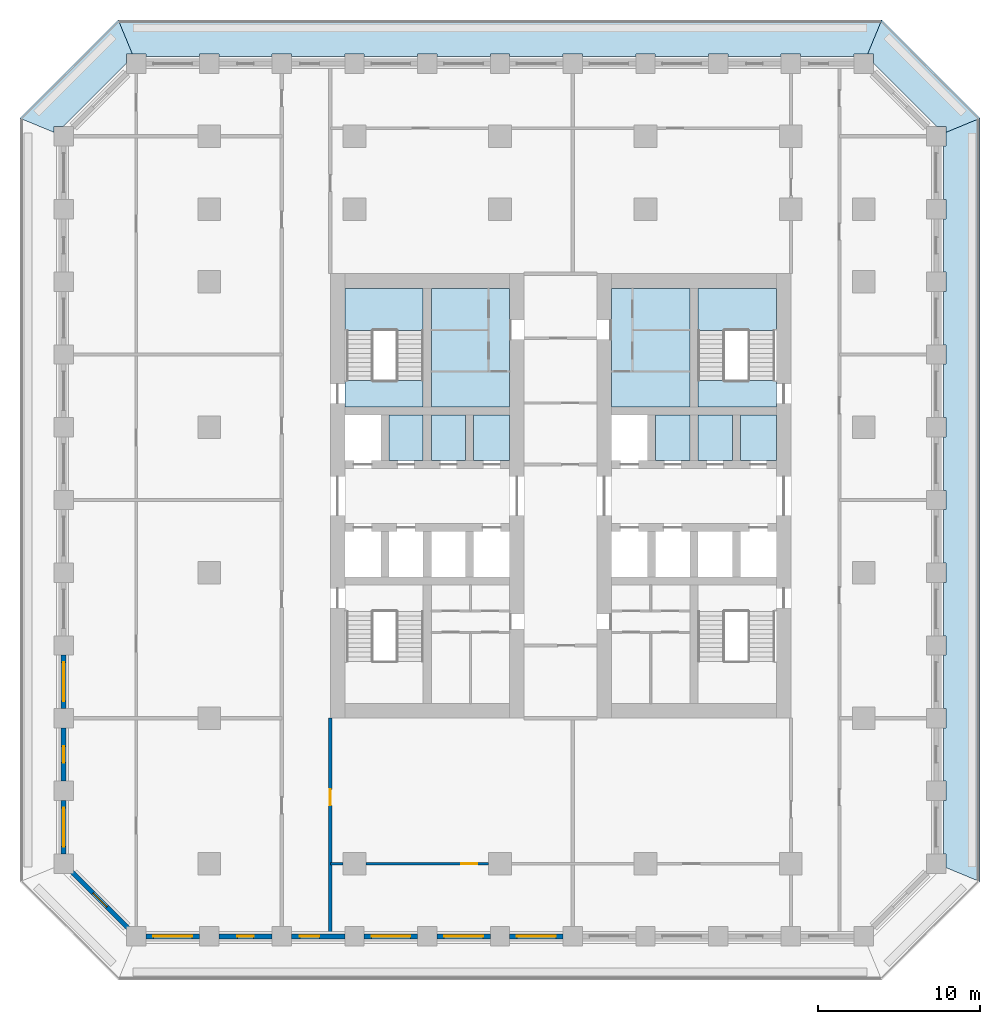
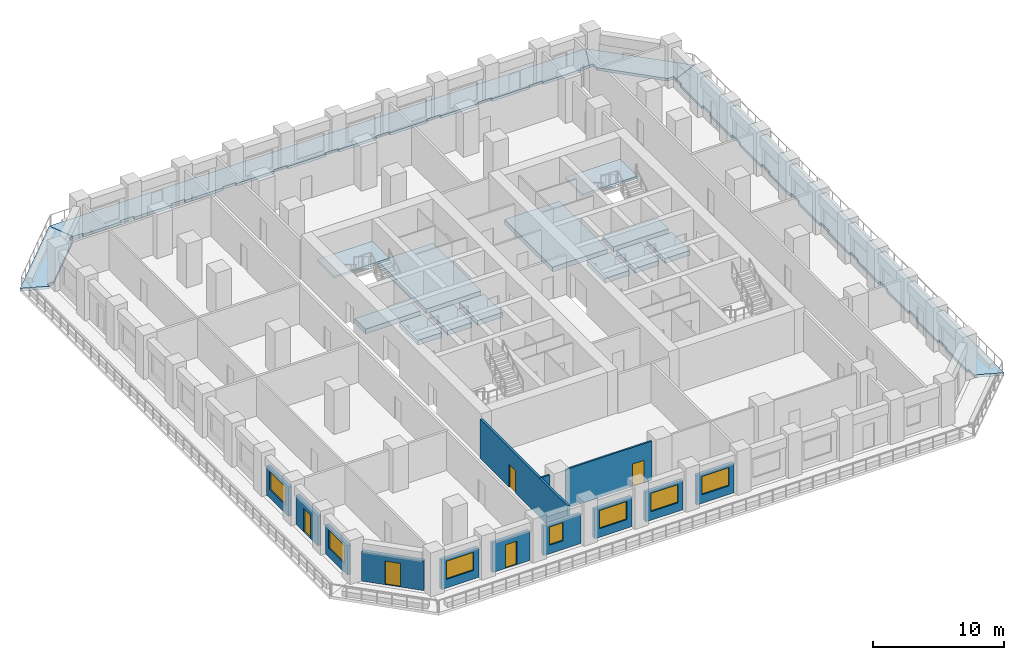
# One storey, part 2 of 16: 16 slabs, 13 walls, 7 windows, 5 doors, 12 openings, 2 elements without a shape of their own.
"""IFC4 building model written with IfcOpenShell, lengths in metres."""

from ifc_helpers import new_model, si_unit, direction, frame, frame_2d, origin, place, context, subcontext, project, spatial, polyline, rectangle, outline, extrude, material, layer, layer_set, type_object, element, fill, aggregate, save


model = new_model("IFC4")

# Units and contexts
model_context = context("Model", 3, precision=1e-05, world=origin(), true_north=direction((0.0, 1.0)))
body_context = subcontext(model_context, "Body", "Model", "MODEL_VIEW")
ifc_project = project(units=[si_unit("LENGTHUNIT", "METRE"), si_unit("AREAUNIT", "SQUARE_METRE"), si_unit("VOLUMEUNIT", "CUBIC_METRE"), si_unit("PLANEANGLEUNIT", "RADIAN"), si_unit("MASSUNIT", "GRAM", prefix="KILO")], contexts=[model_context])

# Site, building, storey
site_placement = place(None, origin())
site = spatial("IfcSite", under=ifc_project, at=site_placement, CompositionType="ELEMENT")
building_placement = place(site_placement, origin())
building = spatial("IfcBuilding", under=site, at=building_placement, Name="Corbel Stack Research Tower", CompositionType="ELEMENT")
storey_placement = place(building_placement, frame((0.0, 0.0, 137.199951171875)))
storey = spatial("IfcBuildingStorey", under=building, at=storey_placement, Name="L31", CompositionType="ELEMENT", Elevation=137.199951171875)

# Slabs
ifc_material_1 = material(Name="Concrete C45/55", Category="concrete")
ifc_layer_1 = layer(ifc_material_1, 0.25)
ifc_layer_set_1 = layer_set([ifc_layer_1], Name="Concrete C45/55")
slab_type_1 = type_object("IfcSlabType", Name="PT balcony slab 250 C45/55", PredefinedType="FLOOR", material=ifc_layer_set_1)
slab_1_placement = place(storey_placement, frame((0.0, 0.0, -0.25)))
element("IfcSlab", 1, at=slab_1_placement, inside=storey, type_object=slab_type_1, Name="Loggia slab L31 E", PredefinedType="FLOOR", context=body_context, shape_type="SweptSolid", body=[
    extrude(outline(polyline([(27.60009765625, 27.24853515625), (27.60009765625, 26.39990234375), (27.449951171875, 26.39990234375), (27.449951171875, 23.10009765625), (27.60009765625, 23.10009765625), (27.60009765625, 21.89990234375), (27.449951171875, 21.89990234375), (27.449951171875, 18.60009765625), (27.60009765625, 18.60009765625), (27.60009765625, 17.39990234375), (27.449951171875, 17.39990234375), (27.449951171875, 14.10009765625), (27.60009765625, 14.10009765625), (27.60009765625, 12.89990234375), (27.449951171875, 12.89990234375), (27.449951171875, 9.60009765625), (27.60009765625, 9.60009765625), (27.60009765625, 8.39990234375), (27.449951171875, 8.39990234375), (27.449951171875, 5.10009765625), (27.60009765625, 5.10009765625), (27.60009765625, 3.89990234375), (27.449951171875, 3.89990234375), (27.449951171875, 0.60009765625), (27.60009765625, 0.60009765625), (27.60009765625, -0.60009765625), (27.449951171875, -0.60009765625), (27.449951171875, -3.89990234375), (27.60009765625, -3.89990234375), (27.60009765625, -5.10009765625), (27.449951171875, -5.10009765625), (27.449951171875, -8.39990234375), (27.60009765625, -8.39990234375), (27.60009765625, -9.60009765625), (27.449951171875, -9.60009765625), (27.449951171875, -12.89990234375), (27.60009765625, -12.89990234375), (27.60009765625, -14.10009765625), (27.449951171875, -14.10009765625), (27.449951171875, -17.39990234375), (27.60009765625, -17.39990234375), (27.60009765625, -18.24853515625), (29.699951171875, -19.118408203125), (29.699951171875, 28.118408203125), (27.60009765625, 27.24853515625)])), origin(), (0.0, 0.0, 1.0), 0.25),
])
slab_2_placement = place(storey_placement, frame((0.0, 0.0, -0.25)))
element("IfcSlab", 2, at=slab_2_placement, inside=storey, type_object=slab_type_1, Name="Loggia slab L31 NE", PredefinedType="FLOOR", context=body_context, shape_type="SweptSolid", body=[
    extrude(outline(polyline([(22.74853515625, 32.10009765625), (23.10009765625, 32.10009765625), (23.10009765625, 31.536376953125), (27.036376953125, 27.60009765625), (27.60009765625, 27.60009765625), (27.60009765625, 27.24853515625), (29.699951171875, 28.118408203125), (23.618408203125, 34.199951171875), (22.74853515625, 32.10009765625)])), origin(), (0.0, 0.0, 1.0), 0.25),
])
slab_3_placement = place(storey_placement, frame((0.0, 0.0, -0.25)))
element("IfcSlab", 3, at=slab_3_placement, inside=storey, type_object=slab_type_1, Name="Loggia slab L31 N", PredefinedType="FLOOR", context=body_context, shape_type="SweptSolid", body=[
    extrude(outline(polyline([(-22.74853515625, 32.10009765625), (-21.89990234375, 32.10009765625), (-21.89990234375, 31.949951171875), (-18.60009765625, 31.949951171875), (-18.60009765625, 32.10009765625), (-17.39990234375, 32.10009765625), (-17.39990234375, 31.949951171875), (-14.10009765625, 31.949951171875), (-14.10009765625, 32.10009765625), (-12.89990234375, 32.10009765625), (-12.89990234375, 31.949951171875), (-9.60009765625, 31.949951171875), (-9.60009765625, 32.10009765625), (-8.39990234375, 32.10009765625), (-8.39990234375, 31.949951171875), (-5.10009765625, 31.949951171875), (-5.10009765625, 32.10009765625), (-3.89990234375, 32.10009765625), (-3.89990234375, 31.949951171875), (-0.60009765625, 31.949951171875), (-0.60009765625, 32.10009765625), (0.60009765625, 32.10009765625), (0.60009765625, 31.949951171875), (3.89990234375, 31.949951171875), (3.89990234375, 32.10009765625), (5.10009765625, 32.10009765625), (5.10009765625, 31.949951171875), (8.39990234375, 31.949951171875), (8.39990234375, 32.10009765625), (9.60009765625, 32.10009765625), (9.60009765625, 31.949951171875), (12.89990234375, 31.949951171875), (12.89990234375, 32.10009765625), (14.10009765625, 32.10009765625), (14.10009765625, 31.949951171875), (17.39990234375, 31.949951171875), (17.39990234375, 32.10009765625), (18.60009765625, 32.10009765625), (18.60009765625, 31.949951171875), (21.89990234375, 31.949951171875), (21.89990234375, 32.10009765625), (22.74853515625, 32.10009765625), (23.618408203125, 34.199951171875), (-23.618408203125, 34.199951171875), (-22.74853515625, 32.10009765625)])), origin(), (0.0, 0.0, 1.0), 0.25),
])
slab_4_placement = place(storey_placement, frame((0.0, 0.0, -0.25)))
element("IfcSlab", 4, at=slab_4_placement, inside=storey, type_object=slab_type_1, Name="Loggia slab L31 NW", PredefinedType="FLOOR", context=body_context, shape_type="SweptSolid", body=[
    extrude(outline(polyline([(-27.60009765625, 27.24853515625), (-27.60009765625, 27.60009765625), (-27.036376953125, 27.60009765625), (-23.10009765625, 31.536376953125), (-23.10009765625, 32.10009765625), (-22.74853515625, 32.10009765625), (-23.618408203125, 34.199951171875), (-29.699951171875, 28.118408203125), (-27.60009765625, 27.24853515625)])), origin(), (0.0, 0.0, 1.0), 0.25),
])
ifc_material_2 = material(Name="Concrete C45/55", Category="concrete")
ifc_layer_2 = layer(ifc_material_2, 0.449951171875)
ifc_layer_set_2 = layer_set([ifc_layer_2], Name="Concrete C45/55")
slab_type_2 = type_object("IfcSlabType", Name="PT-450", PredefinedType="FLOOR", material=ifc_layer_set_2)
slab_5_placement = place(storey_placement, frame((0.0, 0.0, -0.449951171875)))
element("IfcSlab", 5, at=slab_5_placement, inside=storey, type_object=slab_type_2, Name="West core floor L31", PredefinedType="FLOOR", context=body_context, shape_type="SweptSolid", body=[
    extrude(outline(polyline([(-6.875, 6.949951171875), (-4.75, 6.949951171875), (-4.75, 9.75), (-6.875, 9.75), (-6.875, 6.949951171875)])), origin(), (0.0, 0.0, 1.0), 0.449951171875),
])
slab_6_placement = place(storey_placement, frame((0.0, 0.0, -0.449951171875)))
element("IfcSlab", 6, at=slab_6_placement, inside=storey, type_object=slab_type_2, Name="West core floor L31", PredefinedType="FLOOR", context=body_context, shape_type="SweptSolid", body=[
    extrude(outline(polyline([(-2.125, 6.949951171875), (-2.125, 9.75), (-4.25, 9.75), (-4.25, 6.949951171875), (-2.125, 6.949951171875)])), origin(), (0.0, 0.0, 1.0), 0.449951171875),
])
slab_7_placement = place(storey_placement, frame((0.0, 0.0, -0.449951171875)))
element("IfcSlab", 7, at=slab_7_placement, inside=storey, type_object=slab_type_2, Name="West core floor L31", PredefinedType="FLOOR", context=body_context, shape_type="SweptSolid", body=[
    extrude(outline(polyline([(0.60009765625, 17.60009765625), (-4.25, 17.60009765625), (-4.25, 10.25), (0.60009765625, 10.25), (0.60009765625, 17.60009765625)])), origin(), (0.0, 0.0, 1.0), 0.449951171875),
])
slab_8_placement = place(storey_placement, frame((0.0, 0.0, -0.449951171875)))
element("IfcSlab", 8, at=slab_8_placement, inside=storey, type_object=slab_type_2, Name="West core floor L31", PredefinedType="FLOOR", context=body_context, shape_type="SweptSolid", body=[
    extrude(outline(polyline([(0.60009765625, 9.75), (-1.625, 9.75), (-1.625, 6.949951171875), (0.60009765625, 6.949951171875), (0.60009765625, 9.75)])), origin(), (0.0, 0.0, 1.0), 0.449951171875),
])
slab_9_placement = place(storey_placement, frame((0.0, 0.0, -0.449951171875)))
element("IfcSlab", 9, at=slab_9_placement, inside=storey, type_object=slab_type_2, Name="East core floor L31", PredefinedType="FLOOR", context=body_context, shape_type="SweptSolid", body=[
    extrude(outline(polyline([(6.89990234375, 17.60009765625), (6.89990234375, 10.25), (11.75, 10.25), (11.75, 17.60009765625), (6.89990234375, 17.60009765625)])), origin(), (0.0, 0.0, 1.0), 0.449951171875),
])
slab_10_placement = place(storey_placement, frame((0.0, 0.0, -0.449951171875)))
element("IfcSlab", 10, at=slab_10_placement, inside=storey, type_object=slab_type_2, Name="East core floor L31", PredefinedType="FLOOR", context=body_context, shape_type="SweptSolid", body=[
    extrude(outline(polyline([(9.625, 6.949951171875), (11.75, 6.949951171875), (11.75, 9.75), (9.625, 9.75), (9.625, 6.949951171875)])), origin(), (0.0, 0.0, 1.0), 0.449951171875),
])
slab_11_placement = place(storey_placement, frame((0.0, 0.0, -0.449951171875)))
element("IfcSlab", 11, at=slab_11_placement, inside=storey, type_object=slab_type_2, Name="East core floor L31", PredefinedType="FLOOR", context=body_context, shape_type="SweptSolid", body=[
    extrude(outline(polyline([(14.375, 6.949951171875), (14.375, 9.75), (12.25, 9.75), (12.25, 6.949951171875), (14.375, 6.949951171875)])), origin(), (0.0, 0.0, 1.0), 0.449951171875),
])
slab_12_placement = place(storey_placement, frame((0.0, 0.0, -0.449951171875)))
element("IfcSlab", 12, at=slab_12_placement, inside=storey, type_object=slab_type_2, Name="East core floor L31", PredefinedType="FLOOR", context=body_context, shape_type="SweptSolid", body=[
    extrude(outline(polyline([(17.10009765625, 6.949951171875), (17.10009765625, 9.75), (14.875, 9.75), (14.875, 6.949951171875), (17.10009765625, 6.949951171875)])), origin(), (0.0, 0.0, 1.0), 0.449951171875),
])
slab_13_placement = place(storey_placement, frame((0.0, 0.0, -0.449951171875)))
element("IfcSlab", 13, at=slab_13_placement, inside=storey, type_object=slab_type_2, Name="Stair floor landing ST-W2", PredefinedType="FLOOR", context=body_context, shape_type="SweptSolid", body=[
    extrude(outline(polyline([(-9.60009765625, 10.25), (-4.75, 10.25), (-4.75, 11.89990234375), (-9.60009765625, 11.89990234375), (-9.60009765625, 10.25)])), origin(), (0.0, 0.0, 1.0), 0.449951171875),
])
slab_14_placement = place(storey_placement, frame((0.0, 0.0, -0.449951171875)))
element("IfcSlab", 14, at=slab_14_placement, inside=storey, type_object=slab_type_2, Name="Stair floor landing ST-E2", PredefinedType="FLOOR", context=body_context, shape_type="SweptSolid", body=[
    extrude(outline(polyline([(12.25, 10.25), (17.10009765625, 10.25), (17.10009765625, 11.89990234375), (12.25, 11.89990234375), (12.25, 10.25)])), origin(), (0.0, 0.0, 1.0), 0.449951171875),
])

# Stair, slab
ifc_material_3 = material(Name="Concrete C40/50", Category="concrete")
stair_type = type_object("IfcStairType", Name="Exit stair 24 risers", PredefinedType="HALF_TURN_STAIR", material=ifc_material_3)
stair_1_placement = place(storey_placement, origin())
stair_1 = element("IfcStair", 15, at=stair_1_placement, inside=storey, type_object=stair_type, Name="L31 Exit stair ST-W2", PredefinedType="HALF_TURN_STAIR")
ifc_material_4 = material(Name="Concrete C40/50", Category="concrete")
ifc_layer_3 = layer(ifc_material_4, 0.199951171875)
ifc_layer_set_3 = layer_set([ifc_layer_3], Name="Concrete C40/50")
slab_type_3 = type_object("IfcSlabType", Name="Stair landing 200 C40/50", PredefinedType="LANDING", material=ifc_layer_set_3)
slab_15_placement = place(storey_placement, frame((0.0, 0.0, 1.85009765625)))
slab_15 = element("IfcSlab", 16, at=slab_15_placement, type_object=slab_type_3, Name="ST-W2 landing 1", PredefinedType="LANDING", context=body_context, shape_type="SweptSolid", body=[
    extrude(outline(polyline([(-9.60009765625, 14.97998046875), (-9.60009765625, 17.60009765625), (-4.75, 17.60009765625), (-4.75, 14.97998046875), (-9.60009765625, 14.97998046875)])), origin(), (0.0, 0.0, 1.0), 0.199951171875),
])
aggregate(stair_1, [slab_15])

stair_2_placement = place(storey_placement, origin())
stair_2 = element("IfcStair", 17, at=stair_2_placement, inside=storey, type_object=stair_type, Name="L31 Exit stair ST-E2", PredefinedType="HALF_TURN_STAIR")
slab_16_placement = place(storey_placement, frame((0.0, 0.0, 1.85009765625)))
slab_16 = element("IfcSlab", 18, at=slab_16_placement, type_object=slab_type_3, Name="ST-E2 landing 1", PredefinedType="LANDING", context=body_context, shape_type="SweptSolid", body=[
    extrude(outline(polyline([(12.25, 14.97998046875), (12.25, 17.60009765625), (17.10009765625, 17.60009765625), (17.10009765625, 14.97998046875), (12.25, 14.97998046875)])), origin(), (0.0, 0.0, 1.0), 0.199951171875),
])
aggregate(stair_2, [slab_16])

# Wall, opening, door
ifc_material_5 = material(Name="Fire-rated gypsum board partition on steel studs", Category="steel")
ifc_layer_4 = layer(ifc_material_5, 0.199951171875)
ifc_layer_set_4 = layer_set([ifc_layer_4], Name="Fire-rated gypsum board partition on steel studs")
wall_type_1 = type_object("IfcWallType", Name="Fire-rated partition 200 EI 60", PredefinedType="PARTITIONING", material=ifc_layer_set_4)
wall_1_placement = place(storey_placement, frame((-10.5, -9.0, 0.0), z_axis=(0.0, 0.0, 1.0), x_axis=(0.0, -1.0, 0.0)))
wall_1 = element("IfcWall", 19, at=wall_1_placement, inside=storey, type_object=wall_type_1, Name="Partition L31-003", PredefinedType="PARTITIONING", context=body_context, shape_type="SweptSolid", body=[
    extrude(rectangle(XDim=13.35009765625, YDim=0.199951171875, at=frame_2d((6.675048828125, 0.0))), origin(), (0.0, 0.0, 1.0), 3.650146484375),
])
opening_1_placement = place(wall_1_placement, frame((4.39990234375, 0.0, 0.0)))
opening_1 = element("IfcOpeningElement", 20, at=opening_1_placement, cuts=wall_1, Name="Opening B4V2-013", PredefinedType="OPENING", context=body_context, shape_type="SweptSolid", body=[
    extrude(rectangle(XDim=1.0, YDim=2.10009765625, at=frame_2d((0.5, 1.050048828125))), frame((0.0, 0.10986328125, 0.0), z_axis=(0.0, -1.0, 0.0), x_axis=(1.0, 0.0, 0.0)), (0.0, 0.0, 1.0), 0.219970703125),
])
ifc_material_6 = material(Name="Painted steel fire door", Category="steel")
door_type_1 = type_object("IfcDoorType", Name="Fire door FD30S 1000 x 2100", OperationType="NOTDEFINED", PredefinedType="DOOR", material=ifc_material_6)
door_1_placement = place(opening_1_placement, origin())
door_1 = element("IfcDoor", 21, at=door_1_placement, inside=storey, type_object=door_type_1, Name="Door B4V2-013", OperationType="SINGLE_SWING_LEFT", OverallHeight=2.10009765625, OverallWidth=1.0, PredefinedType="DOOR", context=body_context, shape_type="SweptSolid", body=[
    extrude(rectangle(XDim=1.0, YDim=2.10009765625, at=frame_2d((0.5, 1.050048828125))), frame((0.0, 0.02490234375, 0.0), z_axis=(0.0, -1.0, 0.0), x_axis=(1.0, 0.0, 0.0)), (0.0, 0.0, 1.0), 0.050048828125),
])
fill(opening_1, door_1)

# Wall
ifc_material_7 = material(Name="Gypsum board partition on steel studs", Category="steel")
ifc_layer_5 = layer(ifc_material_7, 0.14990234375)
ifc_layer_set_5 = layer_set([ifc_layer_5], Name="Gypsum board partition on steel studs")
wall_type_2 = type_object("IfcWallType", Name="Partition 150", PredefinedType="PARTITIONING", material=ifc_layer_set_5)
wall_2_placement = place(storey_placement, frame((-10.5, -18.0, 0.0), z_axis=(0.0, 0.0, 1.0), x_axis=(1.0, 0.0, 0.0)))
element("IfcWall", 22, at=wall_2_placement, inside=storey, type_object=wall_type_2, Name="Partition L31-013", PredefinedType="PARTITIONING", context=body_context, shape_type="SweptSolid", body=[
    extrude(rectangle(XDim=0.800048828125, YDim=0.14990234375, at=frame_2d((0.39990234375, 0.0))), origin(), (0.0, 0.0, 1.0), 3.650146484375),
])

# Wall, opening, door
wall_3_placement = place(storey_placement, frame((-0.699951171875, -18.0, 0.0), z_axis=(0.0, 0.0, 1.0), x_axis=(-1.0, 0.0, 0.0)))
wall_3 = element("IfcWall", 23, at=wall_3_placement, inside=storey, type_object=wall_type_2, Name="Partition L31-014", PredefinedType="PARTITIONING", context=body_context, shape_type="SweptSolid", body=[
    extrude(rectangle(XDim=7.60009765625, YDim=0.14990234375, at=frame_2d((3.800048828125, 0.0))), origin(), (0.0, 0.0, 1.0), 3.650146484375),
])
opening_2_placement = place(wall_3_placement, frame((0.699951171875, 0.0, 0.0)))
opening_2 = element("IfcOpeningElement", 24, at=opening_2_placement, cuts=wall_3, Name="Opening B4V2-006", PredefinedType="OPENING", context=body_context, shape_type="SweptSolid", body=[
    extrude(rectangle(XDim=1.0, YDim=2.10009765625, at=frame_2d((0.5, 1.050048828125))), frame((0.0, 0.0849609375, 0.0), z_axis=(0.0, -1.0, 0.0), x_axis=(1.0, 0.0, 0.0)), (0.0, 0.0, 1.0), 0.169921875),
])
ifc_material_8 = material(Name="Painted timber door", Category="wood")
door_type_2 = type_object("IfcDoorType", Name="Single door 1000 x 2100", OperationType="NOTDEFINED", PredefinedType="DOOR", material=ifc_material_8)
door_2_placement = place(opening_2_placement, origin())
door_2 = element("IfcDoor", 25, at=door_2_placement, inside=storey, type_object=door_type_2, Name="Door B4V2-006", OperationType="SINGLE_SWING_LEFT", OverallHeight=2.10009765625, OverallWidth=1.0, PredefinedType="DOOR", context=body_context, shape_type="SweptSolid", body=[
    extrude(rectangle(XDim=1.0, YDim=2.10009765625, at=frame_2d((0.5, 1.050048828125))), frame((0.0, 0.02490234375, 0.0), z_axis=(0.0, -1.0, 0.0), x_axis=(1.0, 0.0, 0.0)), (0.0, 0.0, 1.0), 0.050048828125),
])
fill(opening_2, door_2)

# Wall, opening, window
ifc_material_9 = material(Name="Concrete C45/55", Category="concrete")
ifc_layer_6 = layer(ifc_material_9, 0.300048828125)
ifc_layer_set_6 = layer_set([ifc_layer_6], Name="Concrete C45/55")
wall_type_3 = type_object("IfcWallType", Name="Terracotta-faced concrete wall 300", PredefinedType="SOLIDWALL", material=ifc_layer_set_6)
wall_4_placement = place(storey_placement, frame((-18.60009765625, -22.5, 0.0), z_axis=(0.0, 0.0, 1.0), x_axis=(-1.0, 0.0, 0.0)))
wall_4 = element("IfcWall", 26, at=wall_4_placement, inside=storey, type_object=wall_type_3, Name="Facade wall L31 S01", PredefinedType="SOLIDWALL", context=body_context, shape_type="SweptSolid", body=[
    extrude(rectangle(XDim=3.2998046875, YDim=0.300048828125, at=frame_2d((1.64990234375, 0.0))), origin(), (0.0, 0.0, 1.0), 2.75),
])
opening_3_placement = place(wall_4_placement, frame((0.449951171875, 0.0, 0.800048828125)))
opening_3 = element("IfcOpeningElement", 27, at=opening_3_placement, cuts=wall_4, Name="Opening W1", PredefinedType="OPENING", context=body_context, shape_type="SweptSolid", body=[
    extrude(rectangle(XDim=2.39990234375, YDim=1.699951171875, at=frame_2d((1.199951171875, 0.85009765625))), frame((0.0, 0.159912109375, 0.0), z_axis=(0.0, -1.0, 0.0), x_axis=(1.0, 0.0, 0.0)), (0.0, 0.0, 1.0), 0.320068359375),
])
ifc_material_10 = material(Name="Aluminium frame, clear double glazing", Category="aluminium")
window_type_1 = type_object("IfcWindowType", Name="Window W1 2400 x 1700", PartitioningType="SINGLE_PANEL", PredefinedType="WINDOW", material=ifc_material_10)
window_1_placement = place(opening_3_placement, origin())
window_1 = element("IfcWindow", 28, at=window_1_placement, inside=storey, type_object=window_type_1, Name="Window W1 L31 S01", OverallHeight=1.699951171875, OverallWidth=2.39990234375, PartitioningType="SINGLE_PANEL", PredefinedType="WINDOW", context=body_context, shape_type="SweptSolid", body=[
    extrude(rectangle(XDim=2.39990234375, YDim=1.699951171875, at=frame_2d((1.199951171875, 0.85009765625))), frame((0.0, 0.030029296875, 0.0), z_axis=(0.0, -1.0, 0.0), x_axis=(1.0, 0.0, 0.0)), (0.0, 0.0, 1.0), 0.06005859375),
])
fill(opening_3, window_1)

# Wall, opening, door
wall_5_placement = place(storey_placement, frame((-14.10009765625, -22.5, 0.0), z_axis=(0.0, 0.0, 1.0), x_axis=(-1.0, 0.0, 0.0)))
wall_5 = element("IfcWall", 29, at=wall_5_placement, inside=storey, type_object=wall_type_3, Name="Facade wall L31 S02", PredefinedType="SOLIDWALL", context=body_context, shape_type="SweptSolid", body=[
    extrude(rectangle(XDim=3.2998046875, YDim=0.300048828125, at=frame_2d((1.64990234375, 0.0))), origin(), (0.0, 0.0, 1.0), 2.75),
])
opening_4_placement = place(wall_5_placement, frame((1.14990234375, 0.0, 0.0)))
opening_4 = element("IfcOpeningElement", 30, at=opening_4_placement, cuts=wall_5, Name="Opening L31-B01", PredefinedType="OPENING", context=body_context, shape_type="SweptSolid", body=[
    extrude(rectangle(XDim=1.0, YDim=2.199951171875, at=frame_2d((0.5, 1.10009765625))), frame((0.0, 0.159912109375, 0.0), z_axis=(0.0, -1.0, 0.0), x_axis=(1.0, 0.0, 0.0)), (0.0, 0.0, 1.0), 0.320068359375),
])
ifc_material_11 = material(Name="Aluminium frame, clear double glazing", Category="aluminium")
door_type_3 = type_object("IfcDoorType", Name="Balcony door BD1 1000 x 2200", OperationType="NOTDEFINED", PredefinedType="DOOR", material=ifc_material_11)
door_3_placement = place(opening_4_placement, origin())
door_3 = element("IfcDoor", 31, at=door_3_placement, inside=storey, type_object=door_type_3, Name="Balcony door L31-B01", OperationType="SINGLE_SWING_LEFT", OverallHeight=2.199951171875, OverallWidth=1.0, PredefinedType="DOOR", context=body_context, shape_type="SweptSolid", body=[
    extrude(rectangle(XDim=1.0, YDim=2.199951171875, at=frame_2d((0.5, 1.10009765625))), frame((0.0, 0.02490234375, 0.0), z_axis=(0.0, -1.0, 0.0), x_axis=(1.0, 0.0, 0.0)), (0.0, 0.0, 1.0), 0.050048828125),
])
fill(opening_4, door_3)

# Wall, opening, window
wall_6_placement = place(storey_placement, frame((-9.60009765625, -22.5, 0.0), z_axis=(0.0, 0.0, 1.0), x_axis=(-1.0, 0.0, 0.0)))
wall_6 = element("IfcWall", 32, at=wall_6_placement, inside=storey, type_object=wall_type_3, Name="Facade wall L31 S03", PredefinedType="SOLIDWALL", context=body_context, shape_type="SweptSolid", body=[
    extrude(rectangle(XDim=3.2998046875, YDim=0.300048828125, at=frame_2d((1.64990234375, 0.0))), origin(), (0.0, 0.0, 1.0), 2.75),
])
opening_5_placement = place(wall_6_placement, frame((1.574951171875, 0.0, 0.800048828125)))
opening_5 = element("IfcOpeningElement", 33, at=opening_5_placement, cuts=wall_6, Name="Opening W2", PredefinedType="OPENING", context=body_context, shape_type="SweptSolid", body=[
    extrude(rectangle(XDim=1.199951171875, YDim=1.699951171875, at=frame_2d((0.60009765625, 0.85009765625))), frame((0.0, 0.159912109375, 0.0), z_axis=(0.0, -1.0, 0.0), x_axis=(1.0, 0.0, 0.0)), (0.0, 0.0, 1.0), 0.320068359375),
])
ifc_material_12 = material(Name="Aluminium frame, clear double glazing", Category="aluminium")
window_type_2 = type_object("IfcWindowType", Name="Window W2 1200 x 1700", PartitioningType="SINGLE_PANEL", PredefinedType="WINDOW", material=ifc_material_12)
window_2_placement = place(opening_5_placement, origin())
window_2 = element("IfcWindow", 34, at=window_2_placement, inside=storey, type_object=window_type_2, Name="Window W2 L31 S03", OverallHeight=1.699951171875, OverallWidth=1.199951171875, PartitioningType="SINGLE_PANEL", PredefinedType="WINDOW", context=body_context, shape_type="SweptSolid", body=[
    extrude(rectangle(XDim=1.199951171875, YDim=1.699951171875, at=frame_2d((0.60009765625, 0.85009765625))), frame((0.0, 0.030029296875, 0.0), z_axis=(0.0, -1.0, 0.0), x_axis=(1.0, 0.0, 0.0)), (0.0, 0.0, 1.0), 0.06005859375),
])
fill(opening_5, window_2)

wall_7_placement = place(storey_placement, frame((-5.10009765625, -22.5, 0.0), z_axis=(0.0, 0.0, 1.0), x_axis=(-1.0, 0.0, 0.0)))
wall_7 = element("IfcWall", 35, at=wall_7_placement, inside=storey, type_object=wall_type_3, Name="Facade wall L31 S04", PredefinedType="SOLIDWALL", context=body_context, shape_type="SweptSolid", body=[
    extrude(rectangle(XDim=3.2998046875, YDim=0.300048828125, at=frame_2d((1.64990234375, 0.0))), origin(), (0.0, 0.0, 1.0), 2.75),
])
opening_6_placement = place(wall_7_placement, frame((0.449951171875, 0.0, 0.800048828125)))
opening_6 = element("IfcOpeningElement", 36, at=opening_6_placement, cuts=wall_7, Name="Opening W1", PredefinedType="OPENING", context=body_context, shape_type="SweptSolid", body=[
    extrude(rectangle(XDim=2.39990234375, YDim=1.699951171875, at=frame_2d((1.199951171875, 0.85009765625))), frame((0.0, 0.159912109375, 0.0), z_axis=(0.0, -1.0, 0.0), x_axis=(1.0, 0.0, 0.0)), (0.0, 0.0, 1.0), 0.320068359375),
])
window_3_placement = place(opening_6_placement, origin())
window_3 = element("IfcWindow", 37, at=window_3_placement, inside=storey, type_object=window_type_1, Name="Window W1 L31 S04", OverallHeight=1.699951171875, OverallWidth=2.39990234375, PartitioningType="SINGLE_PANEL", PredefinedType="WINDOW", context=body_context, shape_type="SweptSolid", body=[
    extrude(rectangle(XDim=2.39990234375, YDim=1.699951171875, at=frame_2d((1.199951171875, 0.85009765625))), frame((0.0, 0.030029296875, 0.0), z_axis=(0.0, -1.0, 0.0), x_axis=(1.0, 0.0, 0.0)), (0.0, 0.0, 1.0), 0.06005859375),
])
fill(opening_6, window_3)

wall_8_placement = place(storey_placement, frame((-0.60009765625, -22.5, 0.0), z_axis=(0.0, 0.0, 1.0), x_axis=(-1.0, 0.0, 0.0)))
wall_8 = element("IfcWall", 38, at=wall_8_placement, inside=storey, type_object=wall_type_3, Name="Facade wall L31 S05", PredefinedType="SOLIDWALL", context=body_context, shape_type="SweptSolid", body=[
    extrude(rectangle(XDim=3.2998046875, YDim=0.300048828125, at=frame_2d((1.64990234375, 0.0))), origin(), (0.0, 0.0, 1.0), 2.75),
])
opening_7_placement = place(wall_8_placement, frame((0.449951171875, 0.0, 0.800048828125)))
opening_7 = element("IfcOpeningElement", 39, at=opening_7_placement, cuts=wall_8, Name="Opening W1", PredefinedType="OPENING", context=body_context, shape_type="SweptSolid", body=[
    extrude(rectangle(XDim=2.39990234375, YDim=1.699951171875, at=frame_2d((1.199951171875, 0.85009765625))), frame((0.0, 0.159912109375, 0.0), z_axis=(0.0, -1.0, 0.0), x_axis=(1.0, 0.0, 0.0)), (0.0, 0.0, 1.0), 0.320068359375),
])
window_4_placement = place(opening_7_placement, origin())
window_4 = element("IfcWindow", 40, at=window_4_placement, inside=storey, type_object=window_type_1, Name="Window W1 L31 S05", OverallHeight=1.699951171875, OverallWidth=2.39990234375, PartitioningType="SINGLE_PANEL", PredefinedType="WINDOW", context=body_context, shape_type="SweptSolid", body=[
    extrude(rectangle(XDim=2.39990234375, YDim=1.699951171875, at=frame_2d((1.199951171875, 0.85009765625))), frame((0.0, 0.030029296875, 0.0), z_axis=(0.0, -1.0, 0.0), x_axis=(1.0, 0.0, 0.0)), (0.0, 0.0, 1.0), 0.06005859375),
])
fill(opening_7, window_4)

wall_9_placement = place(storey_placement, frame((3.89990234375, -22.5, 0.0), z_axis=(0.0, 0.0, 1.0), x_axis=(-1.0, 0.0, 0.0)))
wall_9 = element("IfcWall", 41, at=wall_9_placement, inside=storey, type_object=wall_type_3, Name="Facade wall L31 S06", PredefinedType="SOLIDWALL", context=body_context, shape_type="SweptSolid", body=[
    extrude(rectangle(XDim=3.2998046875, YDim=0.300048828125, at=frame_2d((1.64990234375, 0.0))), origin(), (0.0, 0.0, 1.0), 2.75),
])
opening_8_placement = place(wall_9_placement, frame((0.449951171875, 0.0, 0.800048828125)))
opening_8 = element("IfcOpeningElement", 42, at=opening_8_placement, cuts=wall_9, Name="Opening W1", PredefinedType="OPENING", context=body_context, shape_type="SweptSolid", body=[
    extrude(rectangle(XDim=2.39990234375, YDim=1.699951171875, at=frame_2d((1.199951171875, 0.85009765625))), frame((0.0, 0.159912109375, 0.0), z_axis=(0.0, -1.0, 0.0), x_axis=(1.0, 0.0, 0.0)), (0.0, 0.0, 1.0), 0.320068359375),
])
window_5_placement = place(opening_8_placement, origin())
window_5 = element("IfcWindow", 43, at=window_5_placement, inside=storey, type_object=window_type_1, Name="Window W1 L31 S06", OverallHeight=1.699951171875, OverallWidth=2.39990234375, PartitioningType="SINGLE_PANEL", PredefinedType="WINDOW", context=body_context, shape_type="SweptSolid", body=[
    extrude(rectangle(XDim=2.39990234375, YDim=1.699951171875, at=frame_2d((1.199951171875, 0.85009765625))), frame((0.0, 0.030029296875, 0.0), z_axis=(0.0, -1.0, 0.0), x_axis=(1.0, 0.0, 0.0)), (0.0, 0.0, 1.0), 0.06005859375),
])
fill(opening_8, window_5)

wall_10_placement = place(storey_placement, frame((-27.0, -8.39990234375, 0.0), z_axis=(0.0, 0.0, 1.0), x_axis=(0.0, 1.0, 0.0)))
wall_10 = element("IfcWall", 44, at=wall_10_placement, inside=storey, type_object=wall_type_3, Name="Facade wall L31 W08", PredefinedType="SOLIDWALL", context=body_context, shape_type="SweptSolid", body=[
    extrude(rectangle(XDim=3.2998046875, YDim=0.300048828125, at=frame_2d((1.64990234375, 0.0))), origin(), (0.0, 0.0, 1.0), 2.75),
])
opening_9_placement = place(wall_10_placement, frame((0.449951171875, 0.0, 0.800048828125)))
opening_9 = element("IfcOpeningElement", 45, at=opening_9_placement, cuts=wall_10, Name="Opening W1", PredefinedType="OPENING", context=body_context, shape_type="SweptSolid", body=[
    extrude(rectangle(XDim=2.39990234375, YDim=1.699951171875, at=frame_2d((1.199951171875, 0.85009765625))), frame((0.0, 0.159912109375, 0.0), z_axis=(0.0, -1.0, 0.0), x_axis=(1.0, 0.0, 0.0)), (0.0, 0.0, 1.0), 0.320068359375),
])
window_6_placement = place(opening_9_placement, origin())
window_6 = element("IfcWindow", 46, at=window_6_placement, inside=storey, type_object=window_type_1, Name="Window W1 L31 W08", OverallHeight=1.699951171875, OverallWidth=2.39990234375, PartitioningType="SINGLE_PANEL", PredefinedType="WINDOW", context=body_context, shape_type="SweptSolid", body=[
    extrude(rectangle(XDim=2.39990234375, YDim=1.699951171875, at=frame_2d((1.199951171875, 0.85009765625))), frame((0.0, 0.030029296875, 0.0), z_axis=(0.0, -1.0, 0.0), x_axis=(1.0, 0.0, 0.0)), (0.0, 0.0, 1.0), 0.06005859375),
])
fill(opening_9, window_6)

# Wall, opening, door
wall_11_placement = place(storey_placement, frame((-27.0, -12.89990234375, 0.0), z_axis=(0.0, 0.0, 1.0), x_axis=(0.0, 1.0, 0.0)))
wall_11 = element("IfcWall", 47, at=wall_11_placement, inside=storey, type_object=wall_type_3, Name="Facade wall L31 W09", PredefinedType="SOLIDWALL", context=body_context, shape_type="SweptSolid", body=[
    extrude(rectangle(XDim=3.2998046875, YDim=0.300048828125, at=frame_2d((1.64990234375, 0.0))), origin(), (0.0, 0.0, 1.0), 2.75),
])
opening_10_placement = place(wall_11_placement, frame((1.14990234375, 0.0, 0.0)))
opening_10 = element("IfcOpeningElement", 48, at=opening_10_placement, cuts=wall_11, Name="Opening L31-B11", PredefinedType="OPENING", context=body_context, shape_type="SweptSolid", body=[
    extrude(rectangle(XDim=1.0, YDim=2.199951171875, at=frame_2d((0.5, 1.10009765625))), frame((0.0, 0.159912109375, 0.0), z_axis=(0.0, -1.0, 0.0), x_axis=(1.0, 0.0, 0.0)), (0.0, 0.0, 1.0), 0.320068359375),
])
door_4_placement = place(opening_10_placement, origin())
door_4 = element("IfcDoor", 49, at=door_4_placement, inside=storey, type_object=door_type_3, Name="Balcony door L31-B11", OperationType="SINGLE_SWING_RIGHT", OverallHeight=2.199951171875, OverallWidth=1.0, PredefinedType="DOOR", context=body_context, shape_type="SweptSolid", body=[
    extrude(rectangle(XDim=1.0, YDim=2.199951171875, at=frame_2d((0.5, 1.10009765625))), frame((0.0, 0.02490234375, 0.0), z_axis=(0.0, -1.0, 0.0), x_axis=(1.0, 0.0, 0.0)), (0.0, 0.0, 1.0), 0.050048828125),
])
fill(opening_10, door_4)

# Wall, opening, window
wall_12_placement = place(storey_placement, frame((-27.0, -17.39990234375, 0.0), z_axis=(0.0, 0.0, 1.0), x_axis=(0.0, 1.0, 0.0)))
wall_12 = element("IfcWall", 50, at=wall_12_placement, inside=storey, type_object=wall_type_3, Name="Facade wall L31 W10", PredefinedType="SOLIDWALL", context=body_context, shape_type="SweptSolid", body=[
    extrude(rectangle(XDim=3.2998046875, YDim=0.300048828125, at=frame_2d((1.64990234375, 0.0))), origin(), (0.0, 0.0, 1.0), 2.75),
])
opening_11_placement = place(wall_12_placement, frame((0.449951171875, 0.0, 0.800048828125)))
opening_11 = element("IfcOpeningElement", 51, at=opening_11_placement, cuts=wall_12, Name="Opening W1", PredefinedType="OPENING", context=body_context, shape_type="SweptSolid", body=[
    extrude(rectangle(XDim=2.39990234375, YDim=1.699951171875, at=frame_2d((1.199951171875, 0.85009765625))), frame((0.0, 0.159912109375, 0.0), z_axis=(0.0, -1.0, 0.0), x_axis=(1.0, 0.0, 0.0)), (0.0, 0.0, 1.0), 0.320068359375),
])
window_7_placement = place(opening_11_placement, origin())
window_7 = element("IfcWindow", 52, at=window_7_placement, inside=storey, type_object=window_type_1, Name="Window W1 L31 W10", OverallHeight=1.699951171875, OverallWidth=2.39990234375, PartitioningType="SINGLE_PANEL", PredefinedType="WINDOW", context=body_context, shape_type="SweptSolid", body=[
    extrude(rectangle(XDim=2.39990234375, YDim=1.699951171875, at=frame_2d((1.199951171875, 0.85009765625))), frame((0.0, 0.030029296875, 0.0), z_axis=(0.0, -1.0, 0.0), x_axis=(1.0, 0.0, 0.0)), (0.0, 0.0, 1.0), 0.06005859375),
])
fill(opening_11, window_7)

# Wall, opening, door
wall_13_placement = place(storey_placement, frame((-22.993896484375, -22.006103515625, 0.0), z_axis=(0.0, 0.0, 1.0), x_axis=(-0.707106781187, 0.707106781187, 0.0)))
wall_13 = element("IfcWall", 53, at=wall_13_placement, inside=storey, type_object=wall_type_3, Name="Facade wall L31 SW01", PredefinedType="SOLIDWALL", context=body_context, shape_type="SweptSolid", body=[
    extrude(rectangle(XDim=4.967041015625, YDim=0.300048828125, at=frame_2d((2.4833984375, 0.0))), origin(), (0.0, 0.0, 1.0), 2.75),
])
opening_12_placement = place(wall_13_placement, frame((1.883544921875, 0.0, 0.0)))
opening_12 = element("IfcOpeningElement", 54, at=opening_12_placement, cuts=wall_13, Name="Opening L31-B12", PredefinedType="OPENING", context=body_context, shape_type="SweptSolid", body=[
    extrude(rectangle(XDim=1.199951171875, YDim=2.199951171875, at=frame_2d((0.60009765625, 1.10009765625))), frame((0.0, 0.159912109375, 0.0), z_axis=(0.0, -1.0, 0.0), x_axis=(1.0, 0.0, 0.0)), (0.0, 0.0, 1.0), 0.320068359375),
])
ifc_material_13 = material(Name="Aluminium frame, clear double glazing", Category="aluminium")
door_type_4 = type_object("IfcDoorType", Name="Balcony door BD2 1200 x 2200", OperationType="NOTDEFINED", PredefinedType="DOOR", material=ifc_material_13)
door_5_placement = place(opening_12_placement, origin())
door_5 = element("IfcDoor", 55, at=door_5_placement, inside=storey, type_object=door_type_4, Name="Balcony door L31-B12", OperationType="SINGLE_SWING_RIGHT", OverallHeight=2.199951171875, OverallWidth=1.199951171875, PredefinedType="DOOR", context=body_context, shape_type="SweptSolid", body=[
    extrude(rectangle(XDim=1.199951171875, YDim=2.199951171875, at=frame_2d((0.60009765625, 1.10009765625))), frame((0.0, 0.02490234375, 0.0), z_axis=(0.0, -1.0, 0.0), x_axis=(1.0, 0.0, 0.0)), (0.0, 0.0, 1.0), 0.050048828125),
])
fill(opening_12, door_5)

save(model, "model.ifc")
